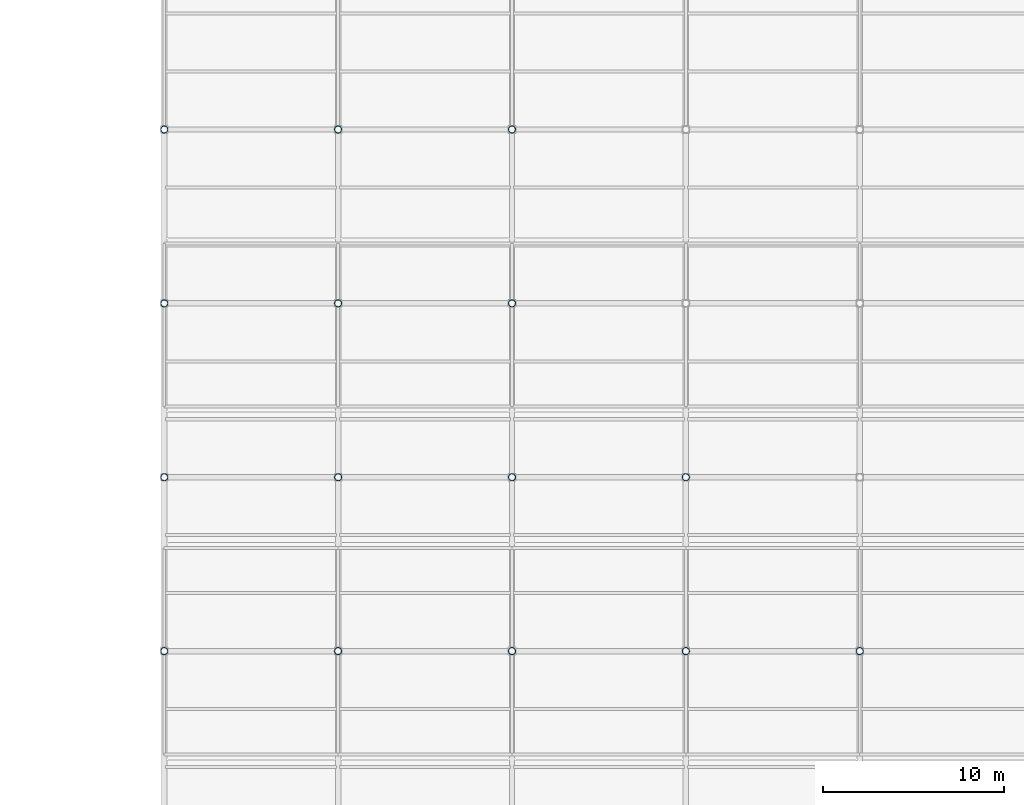
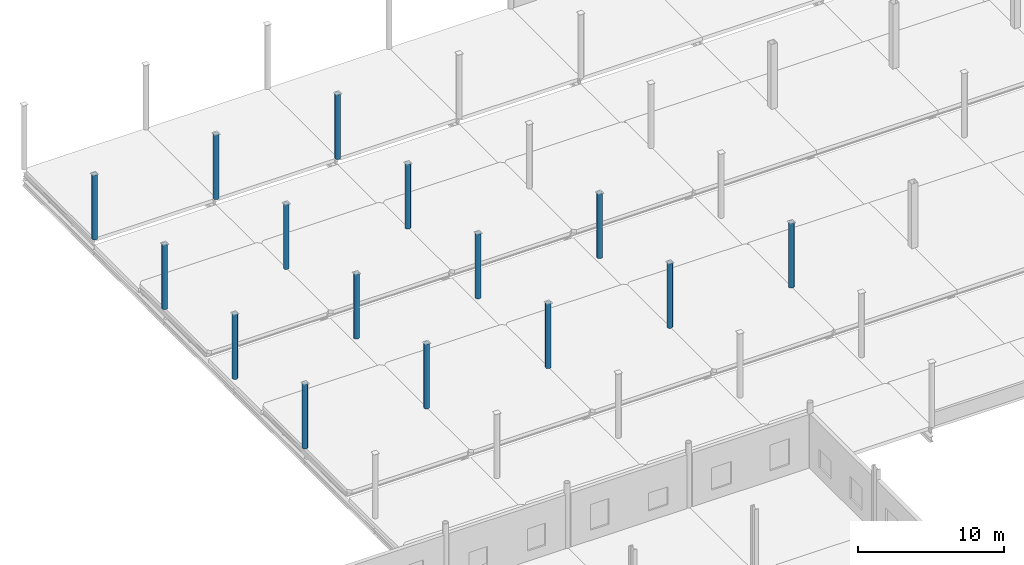
# One storey, part 10 of 85: 15 columns.
"""IFC4 building model written with IfcOpenShell, lengths in metres."""

from ifc_helpers import new_model, si_unit, direction, frame, origin, origin_2d, place, context, subcontext, project, spatial, hollow_circle, extrude, material, material_profile, profile_set, type_object, element, save


model = new_model("IFC4")

# Units and contexts
model_context = context("Model", 3, precision=1e-05, world=origin(), true_north=direction((0.0, 1.0)))
body_context = subcontext(model_context, "Body", "Model", "MODEL_VIEW")
ifc_project = project(units=[si_unit("LENGTHUNIT", "METRE"), si_unit("AREAUNIT", "SQUARE_METRE"), si_unit("VOLUMEUNIT", "CUBIC_METRE"), si_unit("PLANEANGLEUNIT", "RADIAN"), si_unit("MASSUNIT", "GRAM", prefix="KILO")], contexts=[model_context])

# Site, building, storey
site_placement = place(None, origin())
site = spatial("IfcSite", under=ifc_project, at=site_placement, CompositionType="ELEMENT")
building_placement = place(site_placement, origin())
building = spatial("IfcBuilding", under=site, at=building_placement, Name="Zarnetskaya Central Station", CompositionType="ELEMENT")
storey_placement = place(building_placement, origin())
storey = spatial("IfcBuildingStorey", under=building, at=storey_placement, Name="L00", CompositionType="ELEMENT", Elevation=0.0)

# Columns
ifc_material = material(Name="Steel S355", Category="steel")
ifc_material_profile = material_profile(ifc_material, hollow_circle(Radius=0.203125, WallThickness=0.02001953125, at=origin_2d()), Name="CHS 406.4x20")
ifc_profile_set = profile_set([ifc_material_profile], Name="Steel S355")
column_type = type_object("IfcColumnType", Name="COL-V1-PCAN", PredefinedType="COLUMN", material=ifc_profile_set)
for number, where, z_axis, x_axis, name in (
    (1, (9.60009765625, 86.39990234375, 0.0), (0.0, 0.0, 1.0), (1.0, 0.0, 0.0), "Column B11 L00"),
    (2, (9.60009765625, 96.0, 0.0), (0.0, 0.0, 1.0), (1.0, 0.0, 0.0), "Column B12 L00"),
    (3, (9.60009765625, 105.60009765625, 0.0), (0.0, 0.0, 1.0), (1.0, 0.0, 0.0), "Column B13 L00"),
    (4, (9.60009765625, 115.199951171875, 0.0), (0.0, 0.0, 1.0), (1.0, 0.0, 0.0), "Column B14 L00"),
    (5, (19.199951171875, 86.39990234375, 0.0), (0.0, 0.0, 1.0), (1.0, 0.0, 0.0), "Column C11 L00"),
    (6, (19.199951171875, 96.0, 0.0), (0.0, 0.0, 1.0), (1.0, 0.0, 0.0), "Column C12 L00"),
    (7, (19.199951171875, 105.60009765625, 0.0), (0.0, 0.0, 1.0), (1.0, 0.0, 0.0), "Column C13 L00"),
    (8, (19.199951171875, 115.199951171875, 0.0), (0.0, 0.0, 1.0), (1.0, 0.0, 0.0), "Column C14 L00"),
    (9, (28.800048828125, 86.39990234375, 0.0), (0.0, 0.0, 1.0), (1.0, 0.0, 0.0), "Column D11 L00"),
    (10, (28.800048828125, 96.0, 0.0), (0.0, 0.0, 1.0), (1.0, 0.0, 0.0), "Column D12 L00"),
    (11, (28.800048828125, 105.60009765625, 0.0), (0.0, 0.0, 1.0), (1.0, 0.0, 0.0), "Column D13 L00"),
    (12, (28.800048828125, 115.199951171875, 0.0), (0.0, 0.0, 1.0), (1.0, 0.0, 0.0), "Column D14 L00"),
    (13, (38.39990234375, 86.39990234375, 0.0), (0.0, 0.0, 1.0), (1.0, 0.0, 0.0), "Column E11 L00"),
    (14, (38.39990234375, 96.0, 0.0), (0.0, 0.0, 1.0), (1.0, 0.0, 0.0), "Column E12 L00"),
    (15, (48.0, 86.39990234375, 0.0), (0.0, 0.0, 1.0), (1.0, 0.0, 0.0), "Column F11 L00"),
):
    element("IfcColumn", number, at=place(storey_placement, frame(where, z_axis=z_axis, x_axis=x_axis)), inside=storey, type_object=column_type, Name=name, PredefinedType="COLUMN", context=body_context, shape_type="SweptSolid", body=[
        extrude(hollow_circle(Radius=0.203125, WallThickness=0.02001953125, at=origin_2d()), origin(), (0.0, 0.0, 1.0), 5.387939453125),
    ])

save(model, "model.ifc")
